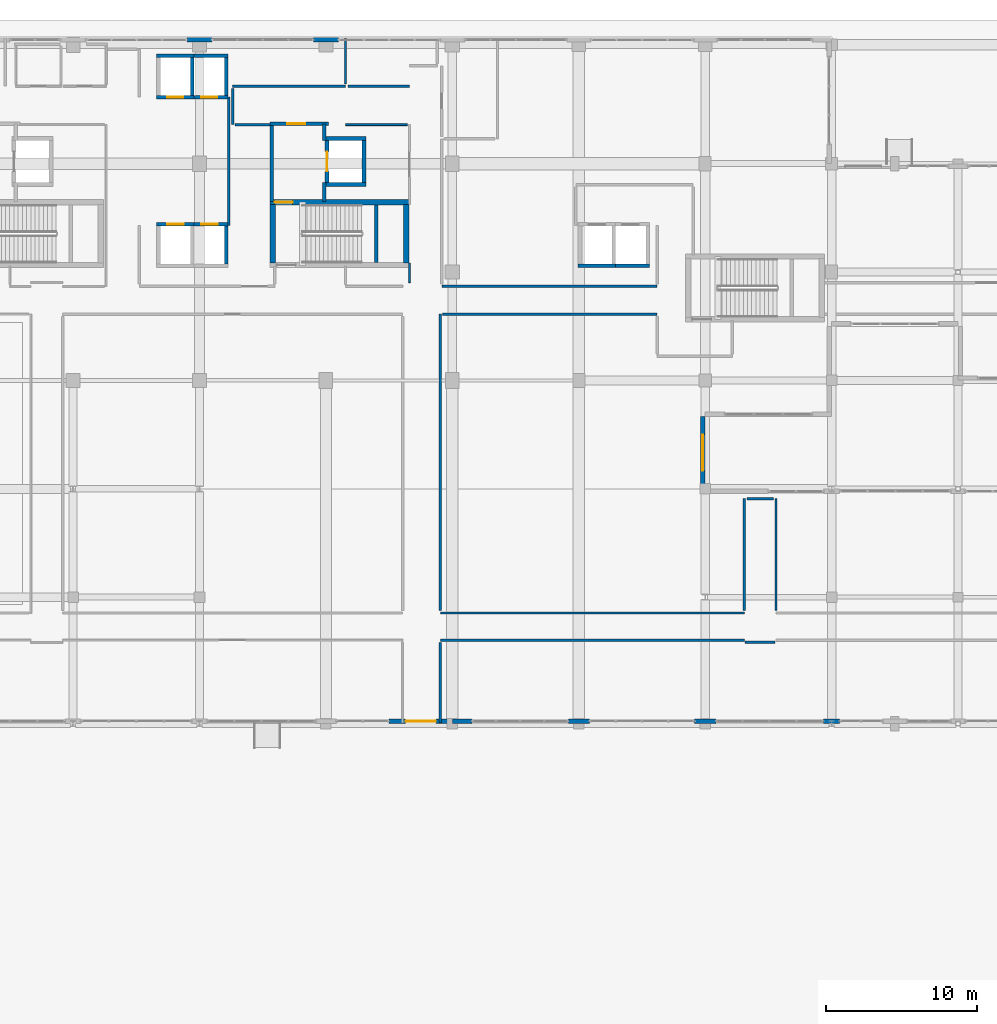
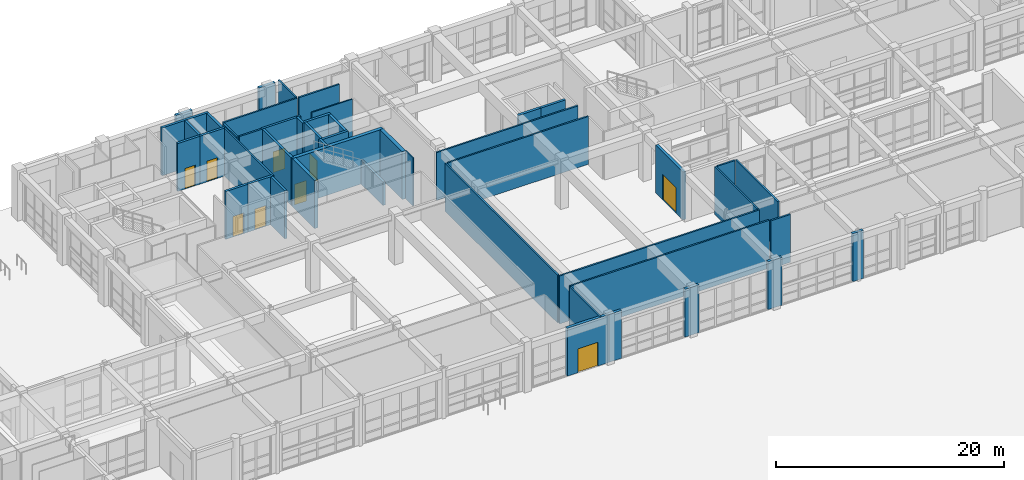
# One storey, part 132 of 148: 49 walls, 9 doors, 9 openings.
"""IFC4 building model written with IfcOpenShell, lengths in metres."""

from ifc_helpers import new_model, si_unit, direction, frame, frame_2d, origin, place, context, subcontext, project, spatial, rectangle, extrude, material, layer, layer_set, type_object, element, fill, save


model = new_model("IFC4")

# Units and contexts
model_context = context("Model", 3, precision=1e-05, world=origin(), true_north=direction((0.0, 1.0)))
body_context = subcontext(model_context, "Body", "Model", "MODEL_VIEW")
ifc_project = project(units=[si_unit("LENGTHUNIT", "METRE"), si_unit("AREAUNIT", "SQUARE_METRE"), si_unit("VOLUMEUNIT", "CUBIC_METRE"), si_unit("PLANEANGLEUNIT", "RADIAN"), si_unit("MASSUNIT", "GRAM", prefix="KILO")], contexts=[model_context])

# Site, building, storey
site_placement = place(None, origin())
site = spatial("IfcSite", under=ifc_project, at=site_placement, CompositionType="ELEMENT")
building_placement = place(site_placement, origin())
building = spatial("IfcBuilding", under=site, at=building_placement, Name="Quendrovan Civic Courthouse", CompositionType="ELEMENT")
storey_placement = place(building_placement, origin())
storey = spatial("IfcBuildingStorey", under=building, at=storey_placement, Name="L01", CompositionType="ELEMENT", Elevation=0.0)

# Walls
ifc_material_1 = material(Name="Fire-rated gypsum stud partition")
ifc_layer_1 = layer(ifc_material_1, 0.159912109375, Name="Fire-rated gypsum stud partition")
ifc_layer_set_1 = layer_set([ifc_layer_1], Name="Fire-rated gypsum stud partition")
wall_type_1 = type_object("IfcWallType", Name="WL-COR-160", PredefinedType="PARTITIONING", material=ifc_layer_set_1)
for number, where, z_axis, x_axis, name in (
    (1, (66.39990234375, 70.35009765625, 0.0), (0.0, 0.0, 1.0), (1.0, 0.0, 0.0), "L01 Security Screening Partition 0166"),
    (2, (86.60009765625, 72.14990234375, 0.0), (0.0, 0.0, 1.0), (-1.0, 0.0, 0.0), "L01 Security Screening Partition 0167"),
):
    element("IfcWall", number, at=place(storey_placement, frame(where, z_axis=z_axis, x_axis=x_axis)), inside=storey, type_object=wall_type_1, Name=name, PredefinedType="PARTITIONING", context=body_context, shape_type="SweptSolid", body=[
        extrude(rectangle(XDim=20.2001953125, YDim=0.159912109375, at=frame_2d((10.10009765625, 0.0))), origin(), (0.0, 0.0, 1.0), 5.1201171875),
    ])
wall_1_placement = place(storey_placement, frame((66.39990234375, 72.31005859375, 0.0), z_axis=(0.0, 0.0, 1.0), x_axis=(0.0, 1.0, 0.0)))
element("IfcWall", 3, at=wall_1_placement, inside=storey, type_object=wall_type_1, Name="L01 Security Screening Partition 0169", PredefinedType="PARTITIONING", context=body_context, shape_type="SweptSolid", body=[
    extrude(rectangle(XDim=19.68994140625, YDim=0.159912109375, at=frame_2d((9.844970703125, 0.0))), origin(), (0.0, 0.0, 1.0), 5.1201171875),
])
wall_2_placement = place(storey_placement, frame((66.56005859375, 92.0, 0.0), z_axis=(0.0, 0.0, 1.0), x_axis=(1.0, 0.0, 0.0)))
element("IfcWall", 4, at=wall_2_placement, inside=storey, type_object=wall_type_1, Name="L01 Security Screening Partition 0182", PredefinedType="PARTITIONING", context=body_context, shape_type="SweptSolid", body=[
    extrude(rectangle(XDim=14.239990234375, YDim=0.159912109375, at=frame_2d((7.1201171875, 0.0))), origin(), (0.0, 0.0, 1.0), 5.1201171875),
])
wall_3_placement = place(storey_placement, frame((80.800048828125, 93.85009765625, 0.0), z_axis=(0.0, 0.0, 1.0), x_axis=(-1.0, 0.0, 0.0)))
element("IfcWall", 5, at=wall_3_placement, inside=storey, type_object=wall_type_1, Name="L01 Civil Case Registry Partition 0183", PredefinedType="PARTITIONING", context=body_context, shape_type="SweptSolid", body=[
    extrude(rectangle(XDim=14.300048828125, YDim=0.159912109375, at=frame_2d((7.14990234375, 0.0))), origin(), (0.0, 0.0, 1.0), 5.1201171875),
])
wall_4_placement = place(storey_placement, frame((52.35009765625, 97.89990234375, 0.0), z_axis=(0.0, 0.0, 1.0), x_axis=(0.0, 1.0, 0.0)))
element("IfcWall", 6, at=wall_4_placement, inside=storey, type_object=wall_type_1, Name="L01 Criminal Case Registry Partition 0199", PredefinedType="PARTITIONING", context=body_context, shape_type="SweptSolid", body=[
    extrude(rectangle(XDim=8.550048828125, YDim=0.159912109375, at=frame_2d((4.27490234375, 0.0))), origin(), (0.0, 0.0, 1.0), 5.1201171875),
])
for number, where, z_axis, x_axis, name in (
    (7, (88.699951171875, 72.31005859375, 0.0), (0.0, 0.0, 1.0), (0.0, 1.0, 0.0), "L01 Security Screening Partition 0201"),
    (8, (86.60009765625, 79.75, 0.0), (0.0, 0.0, 1.0), (0.0, -1.0, 0.0), "L01 Security Screening Partition 0202"),
):
    element("IfcWall", number, at=place(storey_placement, frame(where, z_axis=z_axis, x_axis=x_axis)), inside=storey, type_object=wall_type_1, Name=name, PredefinedType="PARTITIONING", context=body_context, shape_type="SweptSolid", body=[
        extrude(rectangle(XDim=7.43994140625, YDim=0.159912109375, at=frame_2d((3.719970703125, 0.0))), origin(), (0.0, 0.0, 1.0), 5.1201171875),
    ])
wall_5_placement = place(storey_placement, frame((60.10009765625, 107.14990234375, 0.0), z_axis=(0.0, 0.0, 1.0), x_axis=(-1.0, 0.0, 0.0)))
element("IfcWall", 9, at=wall_5_placement, inside=storey, type_object=wall_type_1, Name="L01 Criminal Case Registry Partition 0203", PredefinedType="PARTITIONING", context=body_context, shape_type="SweptSolid", body=[
    extrude(rectangle(XDim=7.5, YDim=0.159912109375, at=frame_2d((3.75, 0.0))), origin(), (0.0, 0.0, 1.0), 5.1201171875),
])
wall_6_placement = place(storey_placement, frame((66.39990234375, 64.860107421875, 0.0), z_axis=(0.0, 0.0, 1.0), x_axis=(0.0, 1.0, 0.0)))
element("IfcWall", 10, at=wall_6_placement, inside=storey, type_object=wall_type_1, Name="L01 Security Screening Partition 0221", PredefinedType="PARTITIONING", context=body_context, shape_type="SweptSolid", body=[
    extrude(rectangle(XDim=5.329833984375, YDim=0.159912109375, at=frame_2d((2.6650390625, 0.0))), origin(), (0.0, 0.0, 1.0), 5.1201171875),
])
wall_7_placement = place(storey_placement, frame((64.35009765625, 107.14990234375, 0.0), z_axis=(0.0, 0.0, 1.0), x_axis=(-1.0, 0.0, 0.0)))
element("IfcWall", 11, at=wall_7_placement, inside=storey, type_object=wall_type_1, Name="L01 Civil Case Registry Partition 0236", PredefinedType="PARTITIONING", context=body_context, shape_type="SweptSolid", body=[
    extrude(rectangle(XDim=4.090087890625, YDim=0.159912109375, at=frame_2d((2.044921875, 0.0))), origin(), (0.0, 0.0, 1.0), 5.1201171875),
])
wall_8_placement = place(storey_placement, frame((60.10009765625, 110.340087890625, 0.0), z_axis=(0.0, 0.0, 1.0), x_axis=(0.0, -1.0, 0.0)))
element("IfcWall", 12, at=wall_8_placement, inside=storey, type_object=wall_type_1, Name="L01 Criminal Case Registry Partition 0249", PredefinedType="PARTITIONING", context=body_context, shape_type="SweptSolid", body=[
    extrude(rectangle(XDim=3.030029296875, YDim=0.159912109375, at=frame_2d((1.51513671875, 0.0))), origin(), (0.0, 0.0, 1.0), 5.1201171875),
])
wall_9_placement = place(storey_placement, frame((52.60009765625, 106.989990234375, 0.0), z_axis=(0.0, 0.0, 1.0), x_axis=(0.0, -1.0, 0.0)))
element("IfcWall", 13, at=wall_9_placement, inside=storey, type_object=wall_type_1, Name="L01 Criminal Case Registry Partition 0265", PredefinedType="PARTITIONING", context=body_context, shape_type="SweptSolid", body=[
    extrude(rectangle(XDim=2.389892578125, YDim=0.159912109375, at=frame_2d((1.19482421875, 0.0))), origin(), (0.0, 0.0, 1.0), 5.1201171875),
])
wall_10_placement = place(storey_placement, frame((52.760009765625, 104.60009765625, 0.0), z_axis=(0.0, 0.0, 1.0), x_axis=(1.0, 0.0, 0.0)))
element("IfcWall", 14, at=wall_10_placement, inside=storey, type_object=wall_type_1, Name="L01 Criminal Case Registry Partition 0266", PredefinedType="PARTITIONING", context=body_context, shape_type="SweptSolid", body=[
    extrude(rectangle(XDim=2.320068359375, YDim=0.159912109375, at=frame_2d((1.16015625, 0.0))), origin(), (0.0, 0.0, 1.0), 5.1201171875),
])
wall_11_placement = place(storey_placement, frame((86.655029296875, 70.199951171875, 0.0), z_axis=(0.0, 0.0, 1.0), x_axis=(1.0, 0.0, 0.0)))
element("IfcWall", 15, at=wall_11_placement, inside=storey, type_object=wall_type_1, Name="L01 Security Screening Partition 0271", PredefinedType="PARTITIONING", context=body_context, shape_type="SweptSolid", body=[
    extrude(rectangle(XDim=1.989990234375, YDim=0.159912109375, at=frame_2d((0.9951171875, 0.0))), origin(), (0.0, 0.0, 1.0), 5.1201171875),
])
wall_12_placement = place(storey_placement, frame((88.5400390625, 79.75, 0.0), z_axis=(0.0, 0.0, 1.0), x_axis=(-1.0, 0.0, 0.0)))
element("IfcWall", 16, at=wall_12_placement, inside=storey, type_object=wall_type_1, Name="L01 Security Screening Partition 0272", PredefinedType="PARTITIONING", context=body_context, shape_type="SweptSolid", body=[
    extrude(rectangle(XDim=1.780029296875, YDim=0.159912109375, at=frame_2d((0.89013671875, 0.0))), origin(), (0.0, 0.0, 1.0), 5.1201171875),
])

# Wall, opening, door
ifc_material_2 = material(Name="Concrete C45/55", Category="concrete")
ifc_layer_2 = layer(ifc_material_2, 0.35009765625, Name="Concrete C45/55")
ifc_layer_set_2 = layer_set([ifc_layer_2], Name="Concrete C45/55")
wall_type_2 = type_object("IfcWallType", Name="WL-CORE-350", PredefinedType="SHEAR", material=ifc_layer_set_2)
wall_13_placement = place(storey_placement, frame((64.31005859375, 99.43505859375, 0.0), z_axis=(0.0, 0.0, 1.0), x_axis=(-1.0, 0.0, 0.0)))
wall_13 = element("IfcWall", 17, at=wall_13_placement, inside=storey, type_object=wall_type_2, Name="L01 Core Shear Wall ST2-N", PredefinedType="SHEAR", context=body_context, shape_type="SweptSolid", body=[
    extrude(rectangle(XDim=9.219970703125, YDim=0.35009765625, at=frame_2d((4.60986328125, 0.0))), origin(), (0.0, 0.0, 1.0), 5.1201171875),
])
opening_1_placement = place(wall_13_placement, frame((7.719970703125, 0.0, 0.0)))
opening_1 = element("IfcOpeningElement", 18, at=opening_1_placement, cuts=wall_13, Name="Opening DFF-ST2-L01", PredefinedType="OPENING", context=body_context, shape_type="SweptSolid", body=[
    extrude(rectangle(XDim=1.199951171875, YDim=2.199951171875, at=frame_2d((0.60009765625, 1.10009765625))), frame((0.0, 0.18505859375, 0.0), z_axis=(0.0, -1.0, 0.0), x_axis=(1.0, 0.0, 0.0)), (0.0, 0.0, 1.0), 0.3701171875),
])
ifc_material_3 = material(Name="Painted galvanized hollow-metal steel", Category="steel")
door_type_1 = type_object("IfcDoorType", Name="DR-FFLOB-1200", OperationType="NOTDEFINED", PredefinedType="DOOR", material=ifc_material_3)
door_1_placement = place(opening_1_placement, origin())
door_1 = element("IfcDoor", 19, at=door_1_placement, inside=storey, type_object=door_type_1, Name="L01 Firefighting Lobby FL2 Direct Stair ST2 Door", OperationType="SINGLE_SWING_RIGHT", OverallHeight=2.199951171875, OverallWidth=1.199951171875, PredefinedType="DOOR", context=body_context, shape_type="SweptSolid", body=[
    extrude(rectangle(XDim=1.199951171875, YDim=2.199951171875, at=frame_2d((0.60009765625, 1.10009765625))), frame((0.0, 0.02490234375, 0.0), z_axis=(0.0, -1.0, 0.0), x_axis=(1.0, 0.0, 0.0)), (0.0, 0.0, 1.0), 0.050048828125),
])
fill(opening_1, door_1)

# Walls
for number, where, z_axis, x_axis, name in (
    (20, (55.264892578125, 95.39990234375, 0.0), (0.0, 0.0, 1.0), (0.0, 1.0, 0.0), "L01 Core Shear Wall ST2-W"),
    (21, (64.135009765625, 99.300048828125, 0.0), (0.0, 0.0, 1.0), (0.0, -1.0, 0.0), "L01 Core Shear Wall ST2-E"),
):
    element("IfcWall", number, at=place(storey_placement, frame(where, z_axis=z_axis, x_axis=x_axis)), inside=storey, type_object=wall_type_2, Name=name, PredefinedType="SHEAR", context=body_context, shape_type="SweptSolid", body=[
        extrude(rectangle(XDim=3.900146484375, YDim=0.35009765625, at=frame_2d((1.9501953125, 0.0))), origin(), (0.0, 0.0, 1.0), 5.1201171875),
    ])
ifc_material_4 = material(Name="Precast concrete C45/55", Category="concrete")
ifc_layer_3 = layer(ifc_material_4, 0.2900390625, Name="Precast concrete C45/55")
ifc_layer_set_3 = layer_set([ifc_layer_3], Name="Precast concrete C45/55")
wall_type_3 = type_object("IfcWallType", Name="WL-EXT-PC290", PredefinedType="SOLIDWALL", material=ifc_layer_set_3)
wall_14_placement = place(storey_placement, frame((49.574951171875, 110.235107421875, 0.0), z_axis=(0.0, 0.0, 1.0), x_axis=(1.0, 0.0, 0.0)))
element("IfcWall", 22, at=wall_14_placement, inside=storey, type_object=wall_type_3, Name="L01 Exterior Pier Wall 101", PredefinedType="SOLIDWALL", context=body_context, shape_type="SweptSolid", body=[
    extrude(rectangle(XDim=1.650146484375, YDim=0.2900390625, at=frame_2d((0.8251953125, 0.0))), origin(), (0.0, 0.0, 1.0), 5.1201171875),
])
wall_15_placement = place(storey_placement, frame((57.97509765625, 110.235107421875, 0.0), z_axis=(0.0, 0.0, 1.0), x_axis=(1.0, 0.0, 0.0)))
element("IfcWall", 23, at=wall_15_placement, inside=storey, type_object=wall_type_3, Name="L01 Exterior Pier Wall 102", PredefinedType="SOLIDWALL", context=body_context, shape_type="SweptSolid", body=[
    extrude(rectangle(XDim=1.64990234375, YDim=0.2900390625, at=frame_2d((0.824951171875, 0.0))), origin(), (0.0, 0.0, 1.0), 5.1201171875),
])

# Wall, opening, door
wall_16_placement = place(storey_placement, frame((83.8349609375, 85.199951171875, 0.0), z_axis=(0.0, 0.0, 1.0), x_axis=(0.0, -1.0, 0.0)))
wall_16 = element("IfcWall", 24, at=wall_16_placement, inside=storey, type_object=wall_type_3, Name="L01 Exterior Civic Portal Wall 141", PredefinedType="SOLIDWALL", context=body_context, shape_type="SweptSolid", body=[
    extrude(rectangle(XDim=4.800048828125, YDim=0.2900390625, at=frame_2d((2.39990234375, 0.0))), origin(), (0.0, 0.0, 1.0), 5.1201171875),
])
opening_2_placement = place(wall_16_placement, frame((1.199951171875, 0.0, 0.0)))
opening_2 = element("IfcOpeningElement", 25, at=opening_2_placement, cuts=wall_16, Name="Opening DE-20", PredefinedType="OPENING", context=body_context, shape_type="SweptSolid", body=[
    extrude(rectangle(XDim=2.39990234375, YDim=2.699951171875, at=frame_2d((1.199951171875, 1.35009765625))), frame((0.0, 0.155029296875, 0.0), z_axis=(0.0, -1.0, 0.0), x_axis=(1.0, 0.0, 0.0)), (0.0, 0.0, 1.0), 0.31005859375),
])
ifc_material_5 = material(Name="Bronze anodised aluminium and low-E glass", Category="aluminium")
door_type_2 = type_object("IfcDoorType", Name="DR-EXT-MAIN-2400", OperationType="NOTDEFINED", PredefinedType="DOOR", material=ifc_material_5)
door_2_placement = place(opening_2_placement, origin())
door_2 = element("IfcDoor", 26, at=door_2_placement, inside=storey, type_object=door_type_2, Name="L01 Courtyard Civic Exit Door DE-20", OperationType="SINGLE_SWING_LEFT", OverallHeight=2.699951171875, OverallWidth=2.39990234375, PredefinedType="DOOR", context=body_context, shape_type="SweptSolid", body=[
    extrude(rectangle(XDim=2.39990234375, YDim=2.699951171875, at=frame_2d((1.199951171875, 1.35009765625))), frame((0.0, 0.02490234375, 0.0), z_axis=(0.0, -1.0, 0.0), x_axis=(1.0, 0.0, 0.0)), (0.0, 0.0, 1.0), 0.050048828125),
])
fill(opening_2, door_2)

# Walls
wall_17_placement = place(storey_placement, frame((92.93701171875, 64.965087890625, 0.0), z_axis=(0.0, 0.0, 1.0), x_axis=(-1.0, 0.0, 0.0)))
element("IfcWall", 27, at=wall_17_placement, inside=storey, type_object=wall_type_3, Name="L01 Exterior Pier Wall 153", PredefinedType="SOLIDWALL", context=body_context, shape_type="SweptSolid", body=[
    extrude(rectangle(XDim=1.073974609375, YDim=0.2900390625, at=frame_2d((0.537109375, 0.0))), origin(), (0.0, 0.0, 1.0), 5.1201171875),
])
wall_18_placement = place(storey_placement, frame((84.699951171875, 64.965087890625, 0.0), z_axis=(0.0, 0.0, 1.0), x_axis=(-1.0, 0.0, 0.0)))
element("IfcWall", 28, at=wall_18_placement, inside=storey, type_object=wall_type_3, Name="L01 Exterior Pier Wall 154", PredefinedType="SOLIDWALL", context=body_context, shape_type="SweptSolid", body=[
    extrude(rectangle(XDim=1.39990234375, YDim=0.2900390625, at=frame_2d((0.699951171875, 0.0))), origin(), (0.0, 0.0, 1.0), 5.1201171875),
])
wall_19_placement = place(storey_placement, frame((76.300048828125, 64.965087890625, 0.0), z_axis=(0.0, 0.0, 1.0), x_axis=(-1.0, 0.0, 0.0)))
element("IfcWall", 29, at=wall_19_placement, inside=storey, type_object=wall_type_3, Name="L01 Exterior Pier Wall 155", PredefinedType="SOLIDWALL", context=body_context, shape_type="SweptSolid", body=[
    extrude(rectangle(XDim=1.400146484375, YDim=0.2900390625, at=frame_2d((0.7001953125, 0.0))), origin(), (0.0, 0.0, 1.0), 5.1201171875),
])
wall_20_placement = place(storey_placement, frame((68.5, 64.965087890625, 0.0), z_axis=(0.0, 0.0, 1.0), x_axis=(-1.0, 0.0, 0.0)))
element("IfcWall", 30, at=wall_20_placement, inside=storey, type_object=wall_type_3, Name="L01 Exterior Pier Wall 156", PredefinedType="SOLIDWALL", context=body_context, shape_type="SweptSolid", body=[
    extrude(rectangle(XDim=1.300048828125, YDim=0.2900390625, at=frame_2d((0.64990234375, 0.0))), origin(), (0.0, 0.0, 1.0), 5.1201171875),
])

# Wall, opening, door
wall_21_placement = place(storey_placement, frame((67.199951171875, 64.965087890625, 0.0), z_axis=(0.0, 0.0, 1.0), x_axis=(-1.0, 0.0, 0.0)))
wall_21 = element("IfcWall", 31, at=wall_21_placement, inside=storey, type_object=wall_type_3, Name="L01 Exterior Pier Wall 157", PredefinedType="SOLIDWALL", context=body_context, shape_type="SweptSolid", body=[
    extrude(rectangle(XDim=4.199951171875, YDim=0.2900390625, at=frame_2d((2.10009765625, 0.0))), origin(), (0.0, 0.0, 1.0), 5.1201171875),
])
opening_3_placement = place(wall_21_placement, frame((1.10009765625, 0.0, 0.0)))
opening_3 = element("IfcOpeningElement", 32, at=opening_3_placement, cuts=wall_21, Name="Opening DE-10", PredefinedType="OPENING", context=body_context, shape_type="SweptSolid", body=[
    extrude(rectangle(XDim=2.0, YDim=2.550048828125, at=frame_2d((1.0, 1.27490234375))), frame((0.0, 0.155029296875, 0.0), z_axis=(0.0, -1.0, 0.0), x_axis=(1.0, 0.0, 0.0)), (0.0, 0.0, 1.0), 0.31005859375),
])
door_type_3 = type_object("IfcDoorType", Name="DR-EXT-ENTRY-2000", OperationType="NOTDEFINED", PredefinedType="DOOR", material=ifc_material_5)
door_3_placement = place(opening_3_placement, origin())
door_3 = element("IfcDoor", 33, at=door_3_placement, inside=storey, type_object=door_type_3, Name="L01 Civic Entrance and Exit Discharge Door DE-10", OperationType="SINGLE_SWING_LEFT", OverallHeight=2.550048828125, OverallWidth=2.0, PredefinedType="DOOR", context=body_context, shape_type="SweptSolid", body=[
    extrude(rectangle(XDim=2.0, YDim=2.550048828125, at=frame_2d((1.0, 1.27490234375))), frame((0.0, 0.02490234375, 0.0), z_axis=(0.0, -1.0, 0.0), x_axis=(1.0, 0.0, 0.0)), (0.0, 0.0, 1.0), 0.050048828125),
])
fill(opening_3, door_3)

ifc_material_6 = material(Name="Concrete C40/50", Category="concrete")
ifc_layer_4 = layer(ifc_material_6, 0.22998046875, Name="Concrete C40/50")
ifc_layer_set_4 = layer_set([ifc_layer_4], Name="Concrete C40/50")
wall_type_4 = type_object("IfcWallType", Name="WL-FFLOB-230", PredefinedType="PARTITIONING", material=ifc_layer_set_4)
wall_22_placement = place(storey_placement, frame((55.090087890625, 104.64990234375, 0.0), z_axis=(0.0, 0.0, 1.0), x_axis=(1.0, 0.0, 0.0)))
wall_22 = element("IfcWall", 34, at=wall_22_placement, inside=storey, type_object=wall_type_4, Name="L01 Firefighting Lift Lobby FL2 Wall N", PredefinedType="PARTITIONING", context=body_context, shape_type="SweptSolid", body=[
    extrude(rectangle(XDim=3.889892578125, YDim=0.22998046875, at=frame_2d((1.94482421875, 0.0))), origin(), (0.0, 0.0, 1.0), 5.1201171875),
])
opening_4_placement = place(wall_22_placement, frame((1.14990234375, 0.0, 0.0)))
opening_4 = element("IfcOpeningElement", 35, at=opening_4_placement, cuts=wall_22, Name="Opening DF-FL2-L01N", PredefinedType="OPENING", context=body_context, shape_type="SweptSolid", body=[
    extrude(rectangle(XDim=1.199951171875, YDim=2.199951171875, at=frame_2d((0.60009765625, 1.10009765625))), frame((0.0, 0.125, 0.0), z_axis=(0.0, -1.0, 0.0), x_axis=(1.0, 0.0, 0.0)), (0.0, 0.0, 1.0), 0.25),
])
door_4_placement = place(opening_4_placement, origin())
door_4 = element("IfcDoor", 36, at=door_4_placement, inside=storey, type_object=door_type_1, Name="L01 Firefighting Lobby FL2 Fire Door N", OperationType="SINGLE_SWING_LEFT", OverallHeight=2.199951171875, OverallWidth=1.199951171875, PredefinedType="DOOR", context=body_context, shape_type="SweptSolid", body=[
    extrude(rectangle(XDim=1.199951171875, YDim=2.199951171875, at=frame_2d((0.60009765625, 1.10009765625))), frame((0.0, 0.02490234375, 0.0), z_axis=(0.0, -1.0, 0.0), x_axis=(1.0, 0.0, 0.0)), (0.0, 0.0, 1.0), 0.050048828125),
])
fill(opening_4, door_4)

# Walls
wall_23_placement = place(storey_placement, frame((55.199951171875, 99.5, 0.0), z_axis=(0.0, 0.0, 1.0), x_axis=(0.0, 1.0, 0.0)))
element("IfcWall", 37, at=wall_23_placement, inside=storey, type_object=wall_type_4, Name="L01 Firefighting Lift Lobby FL2 Wall W", PredefinedType="PARTITIONING", context=body_context, shape_type="SweptSolid", body=[
    extrude(rectangle(XDim=5.260009765625, YDim=0.22998046875, at=frame_2d((2.6298828125, 0.0))), origin(), (0.0, 0.0, 1.0), 5.1201171875),
])
wall_24_placement = place(storey_placement, frame((58.699951171875, 104.64990234375, 0.0), z_axis=(0.0, 0.0, 1.0), x_axis=(0.0, -1.0, 0.0)))
element("IfcWall", 38, at=wall_24_placement, inside=storey, type_object=wall_type_4, Name="L01 Firefighting Lift Lobby FL2 Wall EN", PredefinedType="PARTITIONING", context=body_context, shape_type="SweptSolid", body=[
    extrude(rectangle(XDim=1.099853515625, YDim=0.22998046875, at=frame_2d((0.5498046875, 0.0))), origin(), (0.0, 0.0, 1.0), 5.1201171875),
])
wall_25_placement = place(storey_placement, frame((58.699951171875, 100.75, 0.0), z_axis=(0.0, 0.0, 1.0), x_axis=(0.0, -1.0, 0.0)))
element("IfcWall", 39, at=wall_25_placement, inside=storey, type_object=wall_type_4, Name="L01 Firefighting Lift Lobby FL2 Wall ES", PredefinedType="PARTITIONING", context=body_context, shape_type="SweptSolid", body=[
    extrude(rectangle(XDim=1.25, YDim=0.22998046875, at=frame_2d((0.625, 0.0))), origin(), (0.0, 0.0, 1.0), 5.1201171875),
])
ifc_material_7 = material(Name="Acoustic glazed-head stud partition")
ifc_layer_5 = layer(ifc_material_7, 0.1201171875, Name="Acoustic glazed-head stud partition")
ifc_layer_set_5 = layer_set([ifc_layer_5], Name="Acoustic glazed-head stud partition")
wall_type_5 = type_object("IfcWallType", Name="WL-LIB-120", PredefinedType="PARTITIONING", material=ifc_layer_set_5)
wall_26_placement = place(storey_placement, frame((64.35009765625, 95.39990234375, 0.0), z_axis=(0.0, 0.0, 1.0), x_axis=(0.0, -1.0, 0.0)))
element("IfcWall", 40, at=wall_26_placement, inside=storey, type_object=wall_type_5, Name="L01 Law Library Reading Room Partition 0191", PredefinedType="PARTITIONING", context=body_context, shape_type="SweptSolid", body=[
    extrude(rectangle(XDim=1.2998046875, YDim=0.1201171875, at=frame_2d((0.64990234375, 0.0))), origin(), (0.0, 0.0, 1.0), 5.1201171875),
])
wall_27_placement = place(storey_placement, frame((60.10009765625, 104.60009765625, 0.0), z_axis=(0.0, 0.0, 1.0), x_axis=(1.0, 0.0, 0.0)))
element("IfcWall", 41, at=wall_27_placement, inside=storey, type_object=wall_type_5, Name="L01 Law Library Reading Room Partition 0237", PredefinedType="PARTITIONING", context=body_context, shape_type="SweptSolid", body=[
    extrude(rectangle(XDim=4.10986328125, YDim=0.1201171875, at=frame_2d((2.054931640625, 0.0))), origin(), (0.0, 0.0, 1.0), 5.1201171875),
])
ifc_layer_6 = layer(ifc_material_2, 0.25, Name="Concrete C45/55")
ifc_layer_set_6 = layer_set([ifc_layer_6], Name="Concrete C45/55")
wall_type_6 = type_object("IfcWallType", Name="WL-SHAFT-250", PredefinedType="SHEAR", material=ifc_layer_set_6)
wall_28_placement = place(storey_placement, frame((62.14990234375, 95.449951171875, 0.0), z_axis=(0.0, 0.0, 1.0), x_axis=(0.0, 1.0, 0.0)))
element("IfcWall", 42, at=wall_28_placement, inside=storey, type_object=wall_type_6, Name="L01 Stair ST2 Mid-Landing Bearing Wall", PredefinedType="SHEAR", context=body_context, shape_type="SweptSolid", body=[
    extrude(rectangle(XDim=3.800048828125, YDim=0.25, at=frame_2d((1.89990234375, 0.0))), origin(), (0.0, 0.0, 1.0), 2.52001953125),
])
for number, where, z_axis, x_axis, name in (
    (43, (75.550048828125, 95.22509765625, 0.0), (0.0, 0.0, 1.0), (1.0, 0.0, 0.0), "L01 Lift Hoistway Wall PL1 -Y"),
    (44, (77.800048828125, 95.22509765625, 0.0), (0.0, 0.0, 1.0), (1.0, 0.0, 0.0), "L01 Lift Hoistway Wall PL2 -Y"),
):
    element("IfcWall", number, at=place(storey_placement, frame(where, z_axis=z_axis, x_axis=x_axis)), inside=storey, type_object=wall_type_6, Name=name, PredefinedType="SHEAR", context=body_context, shape_type="SweptSolid", body=[
        extrude(rectangle(XDim=2.5, YDim=0.25, at=frame_2d((1.25, 0.0))), origin(), (0.0, 0.0, 1.0), 5.1201171875),
    ])

# Wall, opening, door
wall_29_placement = place(storey_placement, frame((50.050048828125, 97.97509765625, 0.0), z_axis=(0.0, 0.0, 1.0), x_axis=(-1.0, 0.0, 0.0)))
wall_29 = element("IfcWall", 45, at=wall_29_placement, inside=storey, type_object=wall_type_6, Name="L01 Lift Hoistway Wall PL3 +Y", PredefinedType="SHEAR", context=body_context, shape_type="SweptSolid", body=[
    extrude(rectangle(XDim=2.5, YDim=0.25, at=frame_2d((1.25, 0.0))), origin(), (0.0, 0.0, 1.0), 5.1201171875),
])
opening_5_placement = place(wall_29_placement, frame((0.699951171875, 0.0, 0.0)))
opening_5 = element("IfcOpeningElement", 46, at=opening_5_placement, cuts=wall_29, Name="Opening LD-PL3-L01", PredefinedType="OPENING", context=body_context, shape_type="SweptSolid", body=[
    extrude(rectangle(XDim=1.10009765625, YDim=2.199951171875, at=frame_2d((0.550048828125, 1.10009765625))), frame((0.0, 0.135009765625, 0.0), z_axis=(0.0, -1.0, 0.0), x_axis=(1.0, 0.0, 0.0)), (0.0, 0.0, 1.0), 0.27001953125),
])
ifc_material_8 = material(Name="Brushed bronze-anodised stainless steel", Category="steel")
door_type_4 = type_object("IfcDoorType", Name="DR-LIFT-LD-PL", OperationType="NOTDEFINED", PredefinedType="DOOR", material=ifc_material_8)
door_5_placement = place(opening_5_placement, origin())
door_5 = element("IfcDoor", 47, at=door_5_placement, inside=storey, type_object=door_type_4, Name="L01 Lift PL3 Sliding Landing Door", OperationType="SLIDING_TO_RIGHT", OverallHeight=2.199951171875, OverallWidth=1.10009765625, PredefinedType="DOOR", context=body_context, shape_type="SweptSolid", body=[
    extrude(rectangle(XDim=1.10009765625, YDim=2.199951171875, at=frame_2d((0.550048828125, 1.10009765625))), frame((0.0, 0.02490234375, 0.0), z_axis=(0.0, -1.0, 0.0), x_axis=(1.0, 0.0, 0.0)), (0.0, 0.0, 1.0), 0.050048828125),
])
fill(opening_5, door_5)

wall_30_placement = place(storey_placement, frame((52.300048828125, 97.97509765625, 0.0), z_axis=(0.0, 0.0, 1.0), x_axis=(-1.0, 0.0, 0.0)))
wall_30 = element("IfcWall", 48, at=wall_30_placement, inside=storey, type_object=wall_type_6, Name="L01 Lift Hoistway Wall PL4 +Y", PredefinedType="SHEAR", context=body_context, shape_type="SweptSolid", body=[
    extrude(rectangle(XDim=2.5, YDim=0.25, at=frame_2d((1.25, 0.0))), origin(), (0.0, 0.0, 1.0), 5.1201171875),
])
opening_6_placement = place(wall_30_placement, frame((0.699951171875, 0.0, 0.0)))
opening_6 = element("IfcOpeningElement", 49, at=opening_6_placement, cuts=wall_30, Name="Opening LD-PL4-L01", PredefinedType="OPENING", context=body_context, shape_type="SweptSolid", body=[
    extrude(rectangle(XDim=1.10009765625, YDim=2.199951171875, at=frame_2d((0.550048828125, 1.10009765625))), frame((0.0, 0.135009765625, 0.0), z_axis=(0.0, -1.0, 0.0), x_axis=(1.0, 0.0, 0.0)), (0.0, 0.0, 1.0), 0.27001953125),
])
door_6_placement = place(opening_6_placement, origin())
door_6 = element("IfcDoor", 50, at=door_6_placement, inside=storey, type_object=door_type_4, Name="L01 Lift PL4 Sliding Landing Door", OperationType="SLIDING_TO_RIGHT", OverallHeight=2.199951171875, OverallWidth=1.10009765625, PredefinedType="DOOR", context=body_context, shape_type="SweptSolid", body=[
    extrude(rectangle(XDim=1.10009765625, YDim=2.199951171875, at=frame_2d((0.550048828125, 1.10009765625))), frame((0.0, 0.02490234375, 0.0), z_axis=(0.0, -1.0, 0.0), x_axis=(1.0, 0.0, 0.0)), (0.0, 0.0, 1.0), 0.050048828125),
])
fill(opening_6, door_6)

# Wall
wall_31_placement = place(storey_placement, frame((52.175048828125, 97.85009765625, 0.0), z_axis=(0.0, 0.0, 1.0), x_axis=(0.0, -1.0, 0.0)))
element("IfcWall", 51, at=wall_31_placement, inside=storey, type_object=wall_type_6, Name="L01 Lift Hoistway Wall PL4 +X", PredefinedType="SHEAR", context=body_context, shape_type="SweptSolid", body=[
    extrude(rectangle(XDim=2.5, YDim=0.25, at=frame_2d((1.25, 0.0))), origin(), (0.0, 0.0, 1.0), 5.1201171875),
])

# Wall, opening, door
wall_32_placement = place(storey_placement, frame((47.550048828125, 106.425048828125, 0.0), z_axis=(0.0, 0.0, 1.0), x_axis=(1.0, 0.0, 0.0)))
wall_32 = element("IfcWall", 52, at=wall_32_placement, inside=storey, type_object=wall_type_6, Name="L01 Lift Hoistway Wall JL1 -Y", PredefinedType="SHEAR", context=body_context, shape_type="SweptSolid", body=[
    extrude(rectangle(XDim=2.5, YDim=0.25, at=frame_2d((1.25, 0.0))), origin(), (0.0, 0.0, 1.0), 5.1201171875),
])
opening_7_placement = place(wall_32_placement, frame((0.719970703125, 0.0, 0.0)))
opening_7 = element("IfcOpeningElement", 53, at=opening_7_placement, cuts=wall_32, Name="Opening LD-JL1-L01", PredefinedType="OPENING", context=body_context, shape_type="SweptSolid", body=[
    extrude(rectangle(XDim=1.06005859375, YDim=2.199951171875, at=frame_2d((0.530029296875, 1.10009765625))), frame((0.0, 0.135009765625, 0.0), z_axis=(0.0, -1.0, 0.0), x_axis=(1.0, 0.0, 0.0)), (0.0, 0.0, 1.0), 0.27001953125),
])
door_type_5 = type_object("IfcDoorType", Name="DR-LIFT-LD-JL", OperationType="NOTDEFINED", PredefinedType="DOOR", material=ifc_material_8)
door_7_placement = place(opening_7_placement, origin())
door_7 = element("IfcDoor", 54, at=door_7_placement, inside=storey, type_object=door_type_5, Name="L01 Lift JL1 Sliding Landing Door", OperationType="SLIDING_TO_RIGHT", OverallHeight=2.199951171875, OverallWidth=1.06005859375, PredefinedType="DOOR", context=body_context, shape_type="SweptSolid", body=[
    extrude(rectangle(XDim=1.06005859375, YDim=2.199951171875, at=frame_2d((0.530029296875, 1.10009765625))), frame((0.0, 0.02490234375, 0.0), z_axis=(0.0, -1.0, 0.0), x_axis=(1.0, 0.0, 0.0)), (0.0, 0.0, 1.0), 0.050048828125),
])
fill(opening_7, door_7)

# Walls
for number, where, z_axis, x_axis, name in (
    (55, (50.050048828125, 109.175048828125, 0.0), (0.0, 0.0, 1.0), (-1.0, 0.0, 0.0), "L01 Lift Hoistway Wall JL1 +Y"),
    (56, (49.925048828125, 109.050048828125, 0.0), (0.0, 0.0, 1.0), (0.0, -1.0, 0.0), "L01 Lift Hoistway Wall JL1 +X"),
):
    element("IfcWall", number, at=place(storey_placement, frame(where, z_axis=z_axis, x_axis=x_axis)), inside=storey, type_object=wall_type_6, Name=name, PredefinedType="SHEAR", context=body_context, shape_type="SweptSolid", body=[
        extrude(rectangle(XDim=2.5, YDim=0.25, at=frame_2d((1.25, 0.0))), origin(), (0.0, 0.0, 1.0), 5.1201171875),
    ])

# Wall, opening, door
wall_33_placement = place(storey_placement, frame((49.800048828125, 106.425048828125, 0.0), z_axis=(0.0, 0.0, 1.0), x_axis=(1.0, 0.0, 0.0)))
wall_33 = element("IfcWall", 57, at=wall_33_placement, inside=storey, type_object=wall_type_6, Name="L01 Lift Hoistway Wall JL2 -Y", PredefinedType="SHEAR", context=body_context, shape_type="SweptSolid", body=[
    extrude(rectangle(XDim=2.5, YDim=0.25, at=frame_2d((1.25, 0.0))), origin(), (0.0, 0.0, 1.0), 5.1201171875),
])
opening_8_placement = place(wall_33_placement, frame((0.719970703125, 0.0, 0.0)))
opening_8 = element("IfcOpeningElement", 58, at=opening_8_placement, cuts=wall_33, Name="Opening LD-JL2-L01", PredefinedType="OPENING", context=body_context, shape_type="SweptSolid", body=[
    extrude(rectangle(XDim=1.06005859375, YDim=2.199951171875, at=frame_2d((0.530029296875, 1.10009765625))), frame((0.0, 0.135009765625, 0.0), z_axis=(0.0, -1.0, 0.0), x_axis=(1.0, 0.0, 0.0)), (0.0, 0.0, 1.0), 0.27001953125),
])
door_8_placement = place(opening_8_placement, origin())
door_8 = element("IfcDoor", 59, at=door_8_placement, inside=storey, type_object=door_type_5, Name="L01 Lift JL2 Sliding Landing Door", OperationType="SLIDING_TO_RIGHT", OverallHeight=2.199951171875, OverallWidth=1.06005859375, PredefinedType="DOOR", context=body_context, shape_type="SweptSolid", body=[
    extrude(rectangle(XDim=1.06005859375, YDim=2.199951171875, at=frame_2d((0.530029296875, 1.10009765625))), frame((0.0, 0.02490234375, 0.0), z_axis=(0.0, -1.0, 0.0), x_axis=(1.0, 0.0, 0.0)), (0.0, 0.0, 1.0), 0.050048828125),
])
fill(opening_8, door_8)

# Walls
for number, where, z_axis, x_axis, name in (
    (60, (52.300048828125, 109.175048828125, 0.0), (0.0, 0.0, 1.0), (-1.0, 0.0, 0.0), "L01 Lift Hoistway Wall JL2 +Y"),
    (61, (52.175048828125, 109.050048828125, 0.0), (0.0, 0.0, 1.0), (0.0, -1.0, 0.0), "L01 Lift Hoistway Wall JL2 +X"),
):
    element("IfcWall", number, at=place(storey_placement, frame(where, z_axis=z_axis, x_axis=x_axis)), inside=storey, type_object=wall_type_6, Name=name, PredefinedType="SHEAR", context=body_context, shape_type="SweptSolid", body=[
        extrude(rectangle(XDim=2.5, YDim=0.25, at=frame_2d((1.25, 0.0))), origin(), (0.0, 0.0, 1.0), 5.1201171875),
    ])
for number, where, z_axis, x_axis, name in (
    (62, (58.75, 100.625, 0.0), (0.0, 0.0, 1.0), (1.0, 0.0, 0.0), "L01 Lift Hoistway Wall FL2 -Y"),
    (63, (61.449951171875, 103.675048828125, 0.0), (0.0, 0.0, 1.0), (-1.0, 0.0, 0.0), "L01 Lift Hoistway Wall FL2 +Y"),
):
    element("IfcWall", number, at=place(storey_placement, frame(where, z_axis=z_axis, x_axis=x_axis)), inside=storey, type_object=wall_type_6, Name=name, PredefinedType="SHEAR", context=body_context, shape_type="SweptSolid", body=[
        extrude(rectangle(XDim=2.699951171875, YDim=0.25, at=frame_2d((1.35009765625, 0.0))), origin(), (0.0, 0.0, 1.0), 5.1201171875),
    ])

# Wall, opening, door
wall_34_placement = place(storey_placement, frame((58.875, 100.75, 0.0), z_axis=(0.0, 0.0, 1.0), x_axis=(0.0, 1.0, 0.0)))
wall_34 = element("IfcWall", 64, at=wall_34_placement, inside=storey, type_object=wall_type_6, Name="L01 Lift Hoistway Wall FL2 -X", PredefinedType="SHEAR", context=body_context, shape_type="SweptSolid", body=[
    extrude(rectangle(XDim=2.800048828125, YDim=0.25, at=frame_2d((1.39990234375, 0.0))), origin(), (0.0, 0.0, 1.0), 5.1201171875),
])
opening_9_placement = place(wall_34_placement, frame((0.75, 0.0, 0.0)))
opening_9 = element("IfcOpeningElement", 65, at=opening_9_placement, cuts=wall_34, Name="Opening LD-FL2-L01", PredefinedType="OPENING", context=body_context, shape_type="SweptSolid", body=[
    extrude(rectangle(XDim=1.300048828125, YDim=2.25, at=frame_2d((0.64990234375, 1.125))), frame((0.0, 0.135009765625, 0.0), z_axis=(0.0, -1.0, 0.0), x_axis=(1.0, 0.0, 0.0)), (0.0, 0.0, 1.0), 0.27001953125),
])
ifc_material_9 = material(Name="Smoke-tight fire-service stainless steel", Category="steel")
door_type_6 = type_object("IfcDoorType", Name="DR-LIFT-LD-FL", OperationType="NOTDEFINED", PredefinedType="DOOR", material=ifc_material_9)
door_9_placement = place(opening_9_placement, origin())
door_9 = element("IfcDoor", 66, at=door_9_placement, inside=storey, type_object=door_type_6, Name="L01 Lift FL2 Sliding Landing Door", OperationType="SLIDING_TO_RIGHT", OverallHeight=2.25, OverallWidth=1.300048828125, PredefinedType="DOOR", context=body_context, shape_type="SweptSolid", body=[
    extrude(rectangle(XDim=1.300048828125, YDim=2.25, at=frame_2d((0.64990234375, 1.125))), frame((0.0, 0.02490234375, 0.0), z_axis=(0.0, -1.0, 0.0), x_axis=(1.0, 0.0, 0.0)), (0.0, 0.0, 1.0), 0.050048828125),
])
fill(opening_9, door_9)

# Wall
wall_35_placement = place(storey_placement, frame((61.324951171875, 103.550048828125, 0.0), z_axis=(0.0, 0.0, 1.0), x_axis=(0.0, -1.0, 0.0)))
element("IfcWall", 67, at=wall_35_placement, inside=storey, type_object=wall_type_6, Name="L01 Lift Hoistway Wall FL2 +X", PredefinedType="SHEAR", context=body_context, shape_type="SweptSolid", body=[
    extrude(rectangle(XDim=2.800048828125, YDim=0.25, at=frame_2d((1.39990234375, 0.0))), origin(), (0.0, 0.0, 1.0), 5.1201171875),
])

save(model, "model.ifc")
